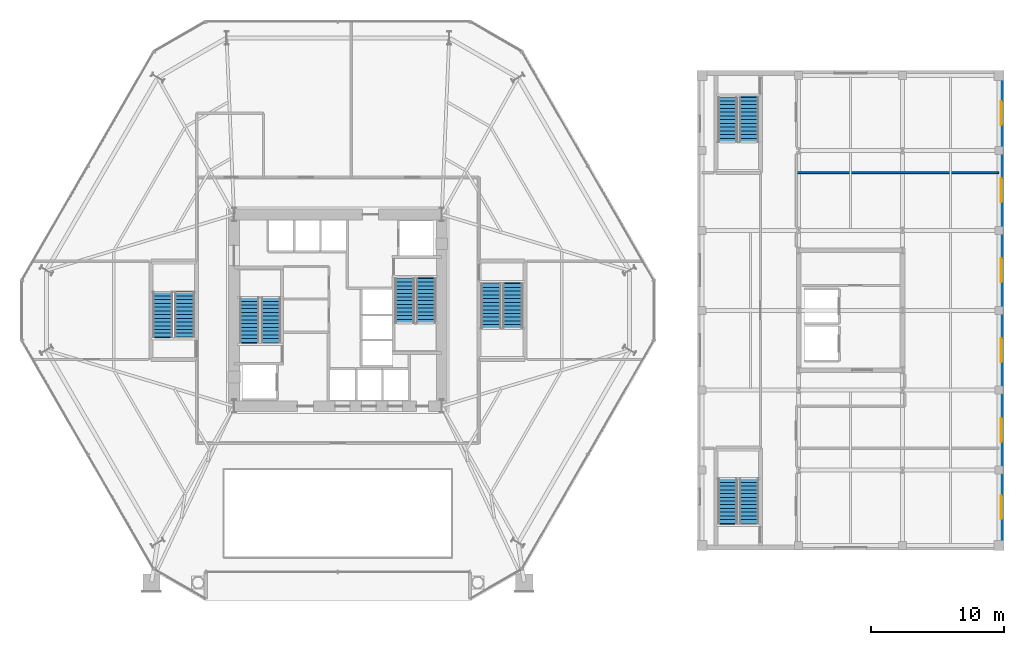
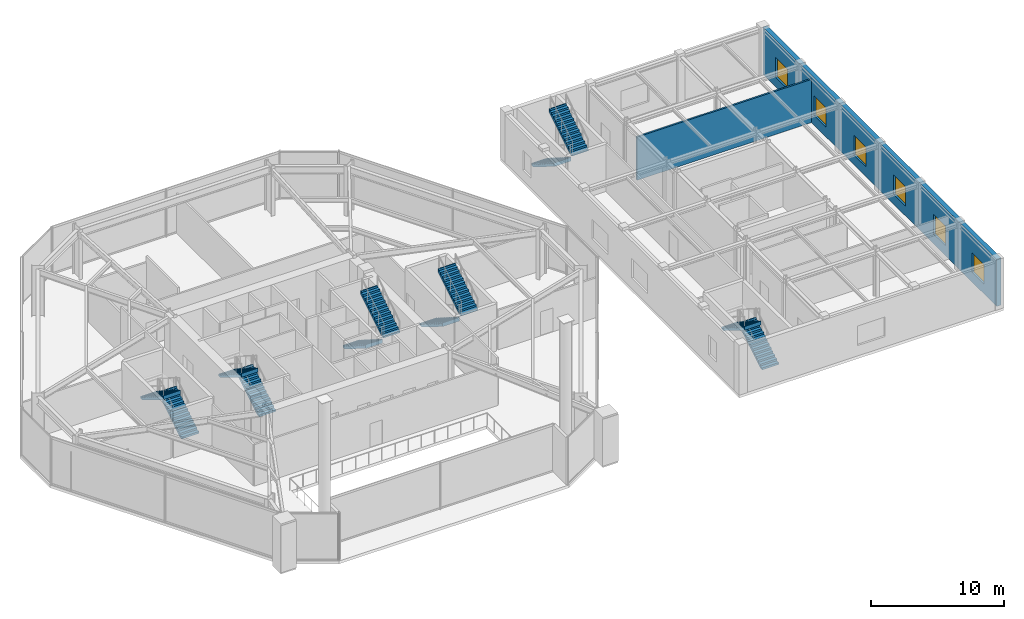
# One storey, part 18 of 22: 12 stair flights, 6 windows, 2 walls, 6 openings, 6 elements without a shape of their own.
"""IFC4 building model written with IfcOpenShell, lengths in metres."""

import ifcopenshell
import ifcopenshell.guid

model = None  # the IFC model being written
_history = None  # IfcOwnerHistory: only IFC2X3 demands one
_inside = {}  # id of a spatial element -> (the spatial element, [elements in it])
_under = {}  # id of a project, library or spatial element -> (it, [spatial elements below it])
_declared = {}  # id of a project -> (the project, [libraries it declares])
_typed = {}  # id of a type object -> (the type object, [elements of that type])
_made_of = {}  # id of a material, layer set ... -> (it, [elements and type objects made of it])


def new_model(schema):
    """Start an empty IFC model of exactly this schema.

    Asked for "IFC4X3", IfcOpenShell would pick the latest addendum, in which some entities
    have other attributes; the version numbers below select the first issue.
    IFC2X3 requires an IfcOwnerHistory on every rooted entity: one is made here for all.
    """
    global model, _history
    if schema == "IFC4X3":
        model = ifcopenshell.file(schema_version=(4, 3, 0, 0))
    else:
        model = ifcopenshell.file(schema=schema)
    _inside.clear()
    _under.clear()
    _declared.clear()
    _typed.clear()
    _made_of.clear()
    _history = None
    if model.schema == "IFC2X3":
        org = make("IfcOrganization", Name="unknown")
        user = make(
            "IfcPersonAndOrganization",
            ThePerson=make("IfcPerson", FamilyName="unknown"),
            TheOrganization=org,
        )
        app = make(
            "IfcApplication",
            ApplicationDeveloper=org,
            Version="unknown",
            ApplicationFullName="unknown",
            ApplicationIdentifier="unknown",
        )
        _history = make(
            "IfcOwnerHistory",
            OwningUser=user,
            OwningApplication=app,
            ChangeAction="ADDED",
            CreationDate=0,
        )
    return model


def make(cls, **values):
    """One entity of the class cls with the attributes given. An attribute that is None is left unset."""
    return model.create_entity(
        cls, **{name: value for name, value in values.items() if value is not None}
    )


def rooted(cls, **values):
    """An entity with a GlobalId (a new one), such as an element, a storey or a relation."""
    return make(cls, GlobalId=ifcopenshell.guid.new(), OwnerHistory=_history, **values)


def si_unit(unit_type, name, prefix=None):
    """IfcSIUnit, for example si_unit("LENGTHUNIT", "METRE", prefix="MILLI")."""
    return make("IfcSIUnit", UnitType=unit_type, Prefix=prefix, Name=name)


def assignment(units):
    """IfcUnitAssignment: the units of a project."""
    return None if units is None else make("IfcUnitAssignment", Units=units)


def point(xyz):
    """IfcCartesianPoint."""
    return None if xyz is None else make("IfcCartesianPoint", Coordinates=xyz)


def direction(xyz):
    """IfcDirection."""
    return None if xyz is None else make("IfcDirection", DirectionRatios=xyz)


def frame(location, z_axis=None, x_axis=None):
    """IfcAxis2Placement3D, a coordinate frame: its origin and axes. An axis left out is left unset."""
    return make(
        "IfcAxis2Placement3D",
        Location=point(location),
        Axis=direction(z_axis),
        RefDirection=direction(x_axis),
    )


def frame_2d(location, x_axis=None):
    """IfcAxis2Placement2D, a coordinate frame in the plane: its origin and x axis."""
    return make(
        "IfcAxis2Placement2D", Location=point(location), RefDirection=direction(x_axis)
    )


def origin():
    """The frame at (0, 0, 0) with its axes left unset."""
    return frame((0.0, 0.0, 0.0))


def place(relative_to, where):
    """IfcLocalPlacement: puts the frame where relative to a parent placement (None: the world)."""
    return make(
        "IfcLocalPlacement", PlacementRelTo=relative_to, RelativePlacement=where
    )


def context(
    kind, dimensions, precision=None, world=None, true_north=None, identifier=None
):
    """IfcGeometricRepresentationContext, for example the 3D "Model" context."""
    return make(
        "IfcGeometricRepresentationContext",
        ContextIdentifier=identifier,
        ContextType=kind,
        CoordinateSpaceDimension=dimensions,
        Precision=precision,
        WorldCoordinateSystem=world,
        TrueNorth=true_north,
    )


def subcontext(parent, identifier, kind, view, scale=None):
    """IfcGeometricRepresentationSubContext, for example "Body" below "Model"."""
    return make(
        "IfcGeometricRepresentationSubContext",
        ContextIdentifier=identifier,
        ContextType=kind,
        ParentContext=parent,
        TargetScale=scale,
        TargetView=view,
    )


def project(units=None, contexts=None):
    """IfcProject with its units and contexts."""
    return rooted(
        "IfcProject",
        Name="project",
        RepresentationContexts=contexts,
        UnitsInContext=assignment(units),
    )


def spatial(cls, under=None, at=None, **own):
    """A site, building, storey or space (cls), placed at a placement, below another one or the project."""
    s = rooted(cls, ObjectPlacement=at, **own)
    if under is not None:
        _under.setdefault(under.id(), (under, []))[1].append(s)
    return s


def polyline(points):
    """IfcPolyline through the points."""
    return make("IfcPolyline", Points=[point(p) for p in points])


def profile(cls, at=None, kind="AREA", **sizes):
    """A parametric profile (cls). Its sizes go by their IFC names, for example OverallWidth=200.0."""
    return make(cls, ProfileType=kind, Position=at, **sizes)


def rectangle(**sizes):
    """IfcRectangleProfileDef."""
    return profile("IfcRectangleProfileDef", **sizes)


def outline(outer, holes=None, kind="AREA"):
    """IfcArbitraryClosedProfileDef: a profile drawn as a closed curve; with holes, ...WithVoids."""
    if holes is None:
        return make("IfcArbitraryClosedProfileDef", ProfileType=kind, OuterCurve=outer)
    return make(
        "IfcArbitraryProfileDefWithVoids",
        ProfileType=kind,
        OuterCurve=outer,
        InnerCurves=holes,
    )


def extrude(swept, where, along, depth):
    """IfcExtrudedAreaSolid: the profile swept, set in the frame where, extruded along a direction by depth."""
    return make(
        "IfcExtrudedAreaSolid",
        SweptArea=swept,
        Position=where,
        ExtrudedDirection=direction(along),
        Depth=depth,
    )


def shape(context_of_items, identifier, shape_type, items):
    """IfcShapeRepresentation: the items that make up one representation, for example the "Body"."""
    return make(
        "IfcShapeRepresentation",
        ContextOfItems=context_of_items,
        RepresentationIdentifier=identifier,
        RepresentationType=shape_type,
        Items=items,
    )


def material(Name=None, Category=None):
    """IfcMaterial."""
    return make("IfcMaterial", Name=Name, Category=Category)


def layer(
    of_material, thickness, ventilated=None, Name=None, Category=None, Priority=None
):
    """IfcMaterialLayer: one layer of a wall or slab, of a material (None: an air gap)."""
    return make(
        "IfcMaterialLayer",
        Material=of_material,
        LayerThickness=thickness,
        IsVentilated=ventilated,
        Name=Name,
        Category=Category,
        Priority=Priority,
    )


def layer_set(layers, Name=None):
    """IfcMaterialLayerSet."""
    return make("IfcMaterialLayerSet", MaterialLayers=layers, LayerSetName=Name)


def made_of(thing, what):
    """Note that an element or type object is made of a material, layer set ...; save() writes the relation."""
    if what is not None:
        _made_of.setdefault(what.id(), (what, []))[1].append(thing)
    return thing


def type_object(cls, material=None, **own):
    """A type object (cls), such as IfcWallType, which elements share."""
    return made_of(rooted(cls, **own), material)


def element(
    cls,
    number,
    at=None,
    inside=None,
    cuts=None,
    type_object=None,
    material=None,
    context=None,
    identifier="Body",
    shape_type=None,
    held_by="IfcProductDefinitionShape",
    body=None,
    shapes=None,
    **own,
):
    """One element of the class cls, such as IfcWall. Its Tag is "e" and its number.

    at: its placement. inside: the storey or other place that contains it. cuts: it is an
    opening in that element (IfcRelVoidsElement). A single representation is given by context,
    identifier, shape_type and body (its items); several are given by shapes. held_by: the class
    of the entity that holds the representations. save() writes the other relations.
    """
    e = rooted(cls, Tag="e%d" % number, ObjectPlacement=at, **own)
    if body is not None:
        shapes = [shape(context, identifier, shape_type, body)]
    if shapes is not None:
        e.Representation = make(held_by, Representations=shapes)
    if inside is not None:
        _inside.setdefault(inside.id(), (inside, []))[1].append(e)
    if cuts is not None:
        rooted(
            "IfcRelVoidsElement", RelatingBuildingElement=cuts, RelatedOpeningElement=e
        )
    if type_object is not None:
        _typed.setdefault(type_object.id(), (type_object, []))[1].append(e)
    return made_of(e, material)


def fill(opening, filler):
    """IfcRelFillsElement: the door or window that sits in an opening."""
    return rooted(
        "IfcRelFillsElement",
        RelatingOpeningElement=opening,
        RelatedBuildingElement=filler,
    )


def aggregate(whole, parts):
    """IfcRelAggregates: a whole, such as a stair, and the parts it consists of."""
    return rooted("IfcRelAggregates", RelatingObject=whole, RelatedObjects=parts)


def save(model, path):
    """Write the relations noted so far, then the file.

    IfcRelAggregates (storeys below a building ...), IfcRelContainedInSpatialStructure (elements
    in a storey), IfcRelDefinesByType, IfcRelAssociatesMaterial and IfcRelDeclares: one each for
    every whole, place, type object, material and project.
    """
    for whole, parts in _under.values():
        aggregate(whole, parts)
    for where, things in _inside.values():
        rooted(
            "IfcRelContainedInSpatialStructure",
            RelatedElements=things,
            RelatingStructure=where,
        )
    for kind, things in _typed.values():
        rooted("IfcRelDefinesByType", RelatedObjects=things, RelatingType=kind)
    for what, things in _made_of.values():
        rooted("IfcRelAssociatesMaterial", RelatedObjects=things, RelatingMaterial=what)
    for by, libraries in _declared.values():
        rooted("IfcRelDeclares", RelatingContext=by, RelatedDefinitions=libraries)
    model.write(path)


model = new_model("IFC4")

# Units and contexts
model_context = context("Model", 3, precision=1e-05, world=origin(), true_north=direction((0.0, 1.0)))
body_context = subcontext(model_context, "Body", "Model", "MODEL_VIEW")
ifc_project = project(units=[si_unit("LENGTHUNIT", "METRE"), si_unit("AREAUNIT", "SQUARE_METRE"), si_unit("VOLUMEUNIT", "CUBIC_METRE"), si_unit("PLANEANGLEUNIT", "RADIAN"), si_unit("MASSUNIT", "GRAM", prefix="KILO")], contexts=[model_context])

# Site, building, storey
site_placement = place(None, origin())
site = spatial("IfcSite", under=ifc_project, at=site_placement, CompositionType="ELEMENT")
building_placement = place(site_placement, origin())
building = spatial("IfcBuilding", under=site, at=building_placement, Name="Kranzbogen Civic Tower", CompositionType="ELEMENT")
storey_placement = place(building_placement, frame((0.0, 0.0, 5.199951171875)))
storey = spatial("IfcBuildingStorey", under=building, at=storey_placement, Name="L01", CompositionType="ELEMENT", Elevation=5.199951171875)

# Wall
ifc_material_1 = material(Name="Double-Stud Acoustic Gypsum Partition")
ifc_layer_1 = layer(ifc_material_1, 0.14990234375, Name="Double-Stud Acoustic Gypsum Partition")
ifc_layer_set_1 = layer_set([ifc_layer_1], Name="Double-Stud Acoustic Gypsum Partition")
wall_type_1 = type_object("IfcWallType", Name="Acoustic Corridor and Clinical Partition 150 mm", PredefinedType="PARTITIONING", material=ifc_layer_set_1)
wall_1_placement = place(storey_placement, frame((59.455078125, 35.35009765625, 0.0), z_axis=(0.0, 0.0, 1.0), x_axis=(1.0, 0.0, 0.0)))
element("IfcWall", 1, at=wall_1_placement, inside=storey, type_object=wall_type_1, Name="L01 clinical partition 06", PredefinedType="PARTITIONING", context=body_context, shape_type="SweptSolid", body=[
    extrude(rectangle(XDim=15.1650390625, YDim=0.14990234375, at=frame_2d((7.58251953125, 0.0))), origin(), (0.0, 0.0, 1.0), 3.97998046875),
])

# Wall, openings, windows
ifc_material_2 = material(Name="Precast concrete C40/50", Category="concrete")
ifc_layer_2 = layer(ifc_material_2, 0.3798828125, Name="Precast concrete C40/50")
ifc_layer_set_2 = layer_set([ifc_layer_2], Name="Precast concrete C40/50")
wall_type_2 = type_object("IfcWallType", Name="Health Centre Insulated Precast Facade Wall 380 mm", PredefinedType="STANDARD", material=ifc_layer_set_2)
wall_2_placement = place(storey_placement, frame((74.81005859375, 42.6201171875, 0.0), z_axis=(0.0, 0.0, 1.0), x_axis=(0.0, -1.0, 0.0)))
wall_2 = element("IfcWall", 2, at=wall_2_placement, inside=storey, type_object=wall_type_2, Name="L01 Health Centre East facade wall", PredefinedType="STANDARD", context=body_context, shape_type="SweptSolid", body=[
    extrude(rectangle(XDim=35.240234375, YDim=0.3798828125, at=frame_2d((17.6201171875, 0.0))), origin(), (0.0, 0.0, 1.0), 4.340087890625),
])
opening_1_placement = place(wall_2_placement, frame((31.52001953125, 0.0, 0.89990234375)))
opening_1 = element("IfcOpeningElement", 3, at=opening_1_placement, cuts=wall_2, Name="Opening W-HC18", PredefinedType="OPENING", context=body_context, shape_type="SweptSolid", body=[
    extrude(rectangle(XDim=1.800048828125, YDim=1.800048828125, at=frame_2d((0.89990234375, 0.89990234375))), frame((0.0, 0.199951171875, 0.0), z_axis=(0.0, -1.0, 0.0), x_axis=(1.0, 0.0, 0.0)), (0.0, 0.0, 1.0), 0.39990234375),
])
opening_2_placement = place(wall_2_placement, frame((25.719970703125, 0.0, 0.89990234375)))
opening_2 = element("IfcOpeningElement", 4, at=opening_2_placement, cuts=wall_2, Name="Opening W-HC18", PredefinedType="OPENING", context=body_context, shape_type="SweptSolid", body=[
    extrude(rectangle(XDim=1.800048828125, YDim=1.800048828125, at=frame_2d((0.89990234375, 0.89990234375))), frame((0.0, 0.199951171875, 0.0), z_axis=(0.0, -1.0, 0.0), x_axis=(1.0, 0.0, 0.0)), (0.0, 0.0, 1.0), 0.39990234375),
])
opening_3_placement = place(wall_2_placement, frame((19.719970703125, 0.0, 0.89990234375)))
opening_3 = element("IfcOpeningElement", 5, at=opening_3_placement, cuts=wall_2, Name="Opening W-HC18", PredefinedType="OPENING", context=body_context, shape_type="SweptSolid", body=[
    extrude(rectangle(XDim=1.800048828125, YDim=1.800048828125, at=frame_2d((0.89990234375, 0.89990234375))), frame((0.0, 0.199951171875, 0.0), z_axis=(0.0, -1.0, 0.0), x_axis=(1.0, 0.0, 0.0)), (0.0, 0.0, 1.0), 0.39990234375),
])
opening_4_placement = place(wall_2_placement, frame((13.719970703125, 0.0, 0.89990234375)))
opening_4 = element("IfcOpeningElement", 6, at=opening_4_placement, cuts=wall_2, Name="Opening W-HC18", PredefinedType="OPENING", context=body_context, shape_type="SweptSolid", body=[
    extrude(rectangle(XDim=1.800048828125, YDim=1.800048828125, at=frame_2d((0.89990234375, 0.89990234375))), frame((0.0, 0.199951171875, 0.0), z_axis=(0.0, -1.0, 0.0), x_axis=(1.0, 0.0, 0.0)), (0.0, 0.0, 1.0), 0.39990234375),
])
opening_5_placement = place(wall_2_placement, frame((7.719970703125, 0.0, 0.89990234375)))
opening_5 = element("IfcOpeningElement", 7, at=opening_5_placement, cuts=wall_2, Name="Opening W-HC18", PredefinedType="OPENING", context=body_context, shape_type="SweptSolid", body=[
    extrude(rectangle(XDim=1.800048828125, YDim=1.800048828125, at=frame_2d((0.89990234375, 0.89990234375))), frame((0.0, 0.199951171875, 0.0), z_axis=(0.0, -1.0, 0.0), x_axis=(1.0, 0.0, 0.0)), (0.0, 0.0, 1.0), 0.39990234375),
])
opening_6_placement = place(wall_2_placement, frame((1.919921875, 0.0, 0.89990234375)))
opening_6 = element("IfcOpeningElement", 8, at=opening_6_placement, cuts=wall_2, Name="Opening W-HC18", PredefinedType="OPENING", context=body_context, shape_type="SweptSolid", body=[
    extrude(rectangle(XDim=1.800048828125, YDim=1.800048828125, at=frame_2d((0.89990234375, 0.89990234375))), frame((0.0, 0.199951171875, 0.0), z_axis=(0.0, -1.0, 0.0), x_axis=(1.0, 0.0, 0.0)), (0.0, 0.0, 1.0), 0.39990234375),
])
ifc_material_3 = material(Name="Low-E Triple Glazing Glass", Category="glass")
window_type = type_object("IfcWindowType", Name="Clinical Triple-Glazed Window 1800x1800", PartitioningType="DOUBLE_PANEL_VERTICAL", PredefinedType="WINDOW", material=ifc_material_3)
window_1_placement = place(opening_1_placement, origin())
window_1 = element("IfcWindow", 9, at=window_1_placement, inside=storey, type_object=window_type, Name="L01 Health Centre East bay 1 window", OverallHeight=1.800048828125, OverallWidth=1.800048828125, PartitioningType="DOUBLE_PANEL_VERTICAL", PredefinedType="WINDOW", context=body_context, shape_type="SweptSolid", body=[
    extrude(rectangle(XDim=1.800048828125, YDim=1.800048828125, at=frame_2d((0.89990234375, 0.89990234375))), frame((0.0, 0.030029296875, 0.0), z_axis=(0.0, -1.0, 0.0), x_axis=(1.0, 0.0, 0.0)), (0.0, 0.0, 1.0), 0.06005859375),
])
fill(opening_1, window_1)
window_2_placement = place(opening_2_placement, origin())
window_2 = element("IfcWindow", 10, at=window_2_placement, inside=storey, type_object=window_type, Name="L01 Health Centre East bay 2 window", OverallHeight=1.800048828125, OverallWidth=1.800048828125, PartitioningType="DOUBLE_PANEL_VERTICAL", PredefinedType="WINDOW", context=body_context, shape_type="SweptSolid", body=[
    extrude(rectangle(XDim=1.800048828125, YDim=1.800048828125, at=frame_2d((0.89990234375, 0.89990234375))), frame((0.0, 0.030029296875, 0.0), z_axis=(0.0, -1.0, 0.0), x_axis=(1.0, 0.0, 0.0)), (0.0, 0.0, 1.0), 0.06005859375),
])
fill(opening_2, window_2)
window_3_placement = place(opening_3_placement, origin())
window_3 = element("IfcWindow", 11, at=window_3_placement, inside=storey, type_object=window_type, Name="L01 Health Centre East bay 3 window", OverallHeight=1.800048828125, OverallWidth=1.800048828125, PartitioningType="DOUBLE_PANEL_VERTICAL", PredefinedType="WINDOW", context=body_context, shape_type="SweptSolid", body=[
    extrude(rectangle(XDim=1.800048828125, YDim=1.800048828125, at=frame_2d((0.89990234375, 0.89990234375))), frame((0.0, 0.030029296875, 0.0), z_axis=(0.0, -1.0, 0.0), x_axis=(1.0, 0.0, 0.0)), (0.0, 0.0, 1.0), 0.06005859375),
])
fill(opening_3, window_3)
window_4_placement = place(opening_4_placement, origin())
window_4 = element("IfcWindow", 12, at=window_4_placement, inside=storey, type_object=window_type, Name="L01 Health Centre East bay 4 window", OverallHeight=1.800048828125, OverallWidth=1.800048828125, PartitioningType="DOUBLE_PANEL_VERTICAL", PredefinedType="WINDOW", context=body_context, shape_type="SweptSolid", body=[
    extrude(rectangle(XDim=1.800048828125, YDim=1.800048828125, at=frame_2d((0.89990234375, 0.89990234375))), frame((0.0, 0.030029296875, 0.0), z_axis=(0.0, -1.0, 0.0), x_axis=(1.0, 0.0, 0.0)), (0.0, 0.0, 1.0), 0.06005859375),
])
fill(opening_4, window_4)
window_5_placement = place(opening_5_placement, origin())
window_5 = element("IfcWindow", 13, at=window_5_placement, inside=storey, type_object=window_type, Name="L01 Health Centre East bay 5 window", OverallHeight=1.800048828125, OverallWidth=1.800048828125, PartitioningType="DOUBLE_PANEL_VERTICAL", PredefinedType="WINDOW", context=body_context, shape_type="SweptSolid", body=[
    extrude(rectangle(XDim=1.800048828125, YDim=1.800048828125, at=frame_2d((0.89990234375, 0.89990234375))), frame((0.0, 0.030029296875, 0.0), z_axis=(0.0, -1.0, 0.0), x_axis=(1.0, 0.0, 0.0)), (0.0, 0.0, 1.0), 0.06005859375),
])
fill(opening_5, window_5)
window_6_placement = place(opening_6_placement, origin())
window_6 = element("IfcWindow", 14, at=window_6_placement, inside=storey, type_object=window_type, Name="L01 Health Centre East bay 6 window", OverallHeight=1.800048828125, OverallWidth=1.800048828125, PartitioningType="DOUBLE_PANEL_VERTICAL", PredefinedType="WINDOW", context=body_context, shape_type="SweptSolid", body=[
    extrude(rectangle(XDim=1.800048828125, YDim=1.800048828125, at=frame_2d((0.89990234375, 0.89990234375))), frame((0.0, 0.030029296875, 0.0), z_axis=(0.0, -1.0, 0.0), x_axis=(1.0, 0.0, 0.0)), (0.0, 0.0, 1.0), 0.06005859375),
])
fill(opening_6, window_6)

# Stair, stair flights
stair_type_1 = type_object("IfcStairType", Name="Tower Core Pressurized Dogleg Stair 1450", PredefinedType="HALF_TURN_STAIR", material=ifc_material_2)
stair_1_placement = place(storey_placement, origin())
stair_1 = element("IfcStair", 15, at=stair_1_placement, inside=storey, type_object=stair_type_1, Name="L01 Tower Core Pressurized Stair 1", PredefinedType="HALF_TURN_STAIR")
stair_flight_type = type_object("IfcStairFlightType", Name="Precast Concrete Stair Flight R177", PredefinedType="STRAIGHT", material=ifc_material_2)
stair_flight_1_placement = place(storey_placement, frame((19.97509765625, 22.60009765625, 0.0), z_axis=(0.0, 0.0, 1.0), x_axis=(0.0, 1.0, 0.0)))
stair_flight_1 = element("IfcStairFlight", 16, at=stair_flight_1_placement, type_object=stair_flight_type, Name="ST-T1 flight 1", NumberOfRisers=13, NumberOfTreads=12, PredefinedType="STRAIGHT", RiserHeight=0.176923077, TreadLength=0.28, context=body_context, shape_type="SweptSolid", body=[
    extrude(outline(polyline([(0.0, 0.0), (0.0, 0.177001953125), (0.280029296875, 0.177001953125), (0.280029296875, 0.353759765625), (0.56005859375, 0.353759765625), (0.56005859375, 0.53076171875), (0.840087890625, 0.53076171875), (0.840087890625, 0.707763671875), (1.1201171875, 0.707763671875), (1.1201171875, 0.884521484375), (1.39990234375, 0.884521484375), (1.39990234375, 1.0615234375), (1.679931640625, 1.0615234375), (1.679931640625, 1.238525390625), (1.9599609375, 1.238525390625), (1.9599609375, 1.415283203125), (2.239990234375, 1.415283203125), (2.239990234375, 1.59228515625), (2.52001953125, 1.59228515625), (2.52001953125, 1.769287109375), (2.800048828125, 1.769287109375), (2.800048828125, 1.946044921875), (3.080078125, 1.946044921875), (3.080078125, 2.123046875), (3.360107421875, 2.123046875), (3.360107421875, 2.300048828125), (3.440185546875, 2.300048828125), (3.440185546875, 1.94580078125), (0.280517578125, 0.0), (0.0, 0.0)])), frame((0.0, 0.72509765625, 0.0), z_axis=(0.0, -1.0, 0.0), x_axis=(1.0, 0.0, 0.0)), (0.0, 0.0, 1.0), 1.449951171875),
])
stair_flight_2_placement = place(storey_placement, frame((18.375, 25.9599609375, 2.300048828125), z_axis=(0.0, 0.0, 1.0), x_axis=(0.0, -1.0, 0.0)))
stair_flight_2 = element("IfcStairFlight", 17, at=stair_flight_2_placement, type_object=stair_flight_type, Name="ST-T1 flight 2", NumberOfRisers=13, NumberOfTreads=12, PredefinedType="STRAIGHT", RiserHeight=0.176923077, TreadLength=0.28, context=body_context, shape_type="SweptSolid", body=[
    extrude(outline(polyline([(0.0, 0.0), (0.0, 0.177001953125), (0.280029296875, 0.177001953125), (0.280029296875, 0.353759765625), (0.56005859375, 0.353759765625), (0.56005859375, 0.53076171875), (0.840087890625, 0.53076171875), (0.840087890625, 0.707763671875), (1.1201171875, 0.707763671875), (1.1201171875, 0.884521484375), (1.39990234375, 0.884521484375), (1.39990234375, 1.0615234375), (1.679931640625, 1.0615234375), (1.679931640625, 1.238525390625), (1.9599609375, 1.238525390625), (1.9599609375, 1.415283203125), (2.239990234375, 1.415283203125), (2.239990234375, 1.59228515625), (2.52001953125, 1.59228515625), (2.52001953125, 1.769287109375), (2.800048828125, 1.769287109375), (2.800048828125, 1.946044921875), (3.080078125, 1.946044921875), (3.080078125, 2.123046875), (3.360107421875, 2.123046875), (3.360107421875, 2.300048828125), (3.440185546875, 2.300048828125), (3.440185546875, 1.94580078125), (0.280517578125, 0.0), (0.0, 0.0)])), frame((0.0, 0.72509765625, 0.0), z_axis=(0.0, -1.0, 0.0), x_axis=(1.0, 0.0, 0.0)), (0.0, 0.0, 1.0), 1.449951171875),
])
aggregate(stair_1, [stair_flight_1, stair_flight_2])

stair_type_2 = type_object("IfcStairType", Name="Tower Core Secondary Dogleg Stair 1450", PredefinedType="HALF_TURN_STAIR", material=ifc_material_2)
stair_2_placement = place(storey_placement, origin())
stair_2 = element("IfcStair", 18, at=stair_2_placement, inside=storey, type_object=stair_type_2, Name="L01 Tower Core Pressurized Stair 2", PredefinedType="HALF_TURN_STAIR")
stair_flight_3_placement = place(storey_placement, frame((30.02490234375, 27.39990234375, 0.0), z_axis=(0.0, 0.0, 1.0), x_axis=(0.0, -1.0, 0.0)))
stair_flight_3 = element("IfcStairFlight", 19, at=stair_flight_3_placement, type_object=stair_flight_type, Name="ST-T2 flight 1", NumberOfRisers=13, NumberOfTreads=12, PredefinedType="STRAIGHT", RiserHeight=0.176923077, TreadLength=0.28, context=body_context, shape_type="SweptSolid", body=[
    extrude(outline(polyline([(0.0, 0.0), (0.0, 0.177001953125), (0.280029296875, 0.177001953125), (0.280029296875, 0.353759765625), (0.56005859375, 0.353759765625), (0.56005859375, 0.53076171875), (0.840087890625, 0.53076171875), (0.840087890625, 0.707763671875), (1.1201171875, 0.707763671875), (1.1201171875, 0.884521484375), (1.39990234375, 0.884521484375), (1.39990234375, 1.0615234375), (1.679931640625, 1.0615234375), (1.679931640625, 1.238525390625), (1.9599609375, 1.238525390625), (1.9599609375, 1.415283203125), (2.239990234375, 1.415283203125), (2.239990234375, 1.59228515625), (2.52001953125, 1.59228515625), (2.52001953125, 1.769287109375), (2.800048828125, 1.769287109375), (2.800048828125, 1.946044921875), (3.080078125, 1.946044921875), (3.080078125, 2.123046875), (3.360107421875, 2.123046875), (3.360107421875, 2.300048828125), (3.440185546875, 2.300048828125), (3.440185546875, 1.94580078125), (0.280517578125, 0.0), (0.0, 0.0)])), frame((0.0, 0.72509765625, 0.0), z_axis=(0.0, -1.0, 0.0), x_axis=(1.0, 0.0, 0.0)), (0.0, 0.0, 1.0), 1.449951171875),
])
stair_flight_4_placement = place(storey_placement, frame((31.625, 24.0400390625, 2.300048828125), z_axis=(0.0, 0.0, 1.0), x_axis=(0.0, 1.0, 0.0)))
stair_flight_4 = element("IfcStairFlight", 20, at=stair_flight_4_placement, type_object=stair_flight_type, Name="ST-T2 flight 2", NumberOfRisers=13, NumberOfTreads=12, PredefinedType="STRAIGHT", RiserHeight=0.176923077, TreadLength=0.28, context=body_context, shape_type="SweptSolid", body=[
    extrude(outline(polyline([(0.0, 0.0), (0.0, 0.177001953125), (0.280029296875, 0.177001953125), (0.280029296875, 0.353759765625), (0.56005859375, 0.353759765625), (0.56005859375, 0.53076171875), (0.840087890625, 0.53076171875), (0.840087890625, 0.707763671875), (1.1201171875, 0.707763671875), (1.1201171875, 0.884521484375), (1.39990234375, 0.884521484375), (1.39990234375, 1.0615234375), (1.679931640625, 1.0615234375), (1.679931640625, 1.238525390625), (1.9599609375, 1.238525390625), (1.9599609375, 1.415283203125), (2.239990234375, 1.415283203125), (2.239990234375, 1.59228515625), (2.52001953125, 1.59228515625), (2.52001953125, 1.769287109375), (2.800048828125, 1.769287109375), (2.800048828125, 1.946044921875), (3.080078125, 1.946044921875), (3.080078125, 2.123046875), (3.360107421875, 2.123046875), (3.360107421875, 2.300048828125), (3.440185546875, 2.300048828125), (3.440185546875, 1.94580078125), (0.280517578125, 0.0), (0.0, 0.0)])), frame((0.0, 0.72509765625, 0.0), z_axis=(0.0, -1.0, 0.0), x_axis=(1.0, 0.0, 0.0)), (0.0, 0.0, 1.0), 1.449951171875),
])
aggregate(stair_2, [stair_flight_3, stair_flight_4])

stair_type_3 = type_object("IfcStairType", Name="Podium Assembly Dogleg Stair 1500", PredefinedType="HALF_TURN_STAIR", material=ifc_material_2)
stair_3_placement = place(storey_placement, origin())
stair_3 = element("IfcStair", 21, at=stair_3_placement, inside=storey, type_object=stair_type_3, Name="L01 Podium Assembly Stair West", PredefinedType="HALF_TURN_STAIR")
stair_flight_5_placement = place(storey_placement, frame((13.5, 23.0, 0.0), z_axis=(0.0, 0.0, 1.0), x_axis=(0.0, 1.0, 0.0)))
stair_flight_5 = element("IfcStairFlight", 22, at=stair_flight_5_placement, type_object=stair_flight_type, Name="ST-P1 flight 1", NumberOfRisers=13, NumberOfTreads=12, PredefinedType="STRAIGHT", RiserHeight=0.176923077, TreadLength=0.28, context=body_context, shape_type="SweptSolid", body=[
    extrude(outline(polyline([(0.0, 0.0), (0.0, 0.177001953125), (0.280029296875, 0.177001953125), (0.280029296875, 0.353759765625), (0.56005859375, 0.353759765625), (0.56005859375, 0.53076171875), (0.840087890625, 0.53076171875), (0.840087890625, 0.707763671875), (1.1201171875, 0.707763671875), (1.1201171875, 0.884521484375), (1.39990234375, 0.884521484375), (1.39990234375, 1.0615234375), (1.679931640625, 1.0615234375), (1.679931640625, 1.238525390625), (1.9599609375, 1.238525390625), (1.9599609375, 1.415283203125), (2.239990234375, 1.415283203125), (2.239990234375, 1.59228515625), (2.52001953125, 1.59228515625), (2.52001953125, 1.769287109375), (2.800048828125, 1.769287109375), (2.800048828125, 1.946044921875), (3.080078125, 1.946044921875), (3.080078125, 2.123046875), (3.360107421875, 2.123046875), (3.360107421875, 2.300048828125), (3.440185546875, 2.300048828125), (3.440185546875, 1.94580078125), (0.280517578125, 0.0), (0.0, 0.0)])), frame((0.0, 0.75, 0.0), z_axis=(0.0, -1.0, 0.0), x_axis=(1.0, 0.0, 0.0)), (0.0, 0.0, 1.0), 1.5),
])
stair_flight_6_placement = place(storey_placement, frame((11.85009765625, 26.360107421875, 2.300048828125), z_axis=(0.0, 0.0, 1.0), x_axis=(0.0, -1.0, 0.0)))
stair_flight_6 = element("IfcStairFlight", 23, at=stair_flight_6_placement, type_object=stair_flight_type, Name="ST-P1 flight 2", NumberOfRisers=13, NumberOfTreads=12, PredefinedType="STRAIGHT", RiserHeight=0.176923077, TreadLength=0.28, context=body_context, shape_type="SweptSolid", body=[
    extrude(outline(polyline([(0.0, 0.0), (0.0, 0.177001953125), (0.280029296875, 0.177001953125), (0.280029296875, 0.353759765625), (0.56005859375, 0.353759765625), (0.56005859375, 0.53076171875), (0.840087890625, 0.53076171875), (0.840087890625, 0.707763671875), (1.1201171875, 0.707763671875), (1.1201171875, 0.884521484375), (1.39990234375, 0.884521484375), (1.39990234375, 1.0615234375), (1.679931640625, 1.0615234375), (1.679931640625, 1.238525390625), (1.9599609375, 1.238525390625), (1.9599609375, 1.415283203125), (2.239990234375, 1.415283203125), (2.239990234375, 1.59228515625), (2.52001953125, 1.59228515625), (2.52001953125, 1.769287109375), (2.800048828125, 1.769287109375), (2.800048828125, 1.946044921875), (3.080078125, 1.946044921875), (3.080078125, 2.123046875), (3.360107421875, 2.123046875), (3.360107421875, 2.300048828125), (3.440185546875, 2.300048828125), (3.440185546875, 1.94580078125), (0.280517578125, 0.0), (0.0, 0.0)])), frame((0.0, 0.75, 0.0), z_axis=(0.0, -1.0, 0.0), x_axis=(1.0, 0.0, 0.0)), (0.0, 0.0, 1.0), 1.5),
])
aggregate(stair_3, [stair_flight_5, stair_flight_6])

stair_4_placement = place(storey_placement, origin())
stair_4 = element("IfcStair", 24, at=stair_4_placement, inside=storey, type_object=stair_type_3, Name="L01 Podium Assembly Stair East", PredefinedType="HALF_TURN_STAIR")
stair_flight_7_placement = place(storey_placement, frame((36.5, 27.0, 0.0), z_axis=(0.0, 0.0, 1.0), x_axis=(0.0, -1.0, 0.0)))
stair_flight_7 = element("IfcStairFlight", 25, at=stair_flight_7_placement, type_object=stair_flight_type, Name="ST-P2 flight 1", NumberOfRisers=13, NumberOfTreads=12, PredefinedType="STRAIGHT", RiserHeight=0.176923077, TreadLength=0.28, context=body_context, shape_type="SweptSolid", body=[
    extrude(outline(polyline([(0.0, 0.0), (0.0, 0.177001953125), (0.280029296875, 0.177001953125), (0.280029296875, 0.353759765625), (0.56005859375, 0.353759765625), (0.56005859375, 0.53076171875), (0.840087890625, 0.53076171875), (0.840087890625, 0.707763671875), (1.1201171875, 0.707763671875), (1.1201171875, 0.884521484375), (1.39990234375, 0.884521484375), (1.39990234375, 1.0615234375), (1.679931640625, 1.0615234375), (1.679931640625, 1.238525390625), (1.9599609375, 1.238525390625), (1.9599609375, 1.415283203125), (2.239990234375, 1.415283203125), (2.239990234375, 1.59228515625), (2.52001953125, 1.59228515625), (2.52001953125, 1.769287109375), (2.800048828125, 1.769287109375), (2.800048828125, 1.946044921875), (3.080078125, 1.946044921875), (3.080078125, 2.123046875), (3.360107421875, 2.123046875), (3.360107421875, 2.300048828125), (3.440185546875, 2.300048828125), (3.440185546875, 1.94580078125), (0.280517578125, 0.0), (0.0, 0.0)])), frame((0.0, 0.75, 0.0), z_axis=(0.0, -1.0, 0.0), x_axis=(1.0, 0.0, 0.0)), (0.0, 0.0, 1.0), 1.5),
])
stair_flight_8_placement = place(storey_placement, frame((38.14990234375, 23.639892578125, 2.300048828125), z_axis=(0.0, 0.0, 1.0), x_axis=(0.0, 1.0, 0.0)))
stair_flight_8 = element("IfcStairFlight", 26, at=stair_flight_8_placement, type_object=stair_flight_type, Name="ST-P2 flight 2", NumberOfRisers=13, NumberOfTreads=12, PredefinedType="STRAIGHT", RiserHeight=0.176923077, TreadLength=0.28, context=body_context, shape_type="SweptSolid", body=[
    extrude(outline(polyline([(0.0, 0.0), (0.0, 0.177001953125), (0.280029296875, 0.177001953125), (0.280029296875, 0.353759765625), (0.56005859375, 0.353759765625), (0.56005859375, 0.53076171875), (0.840087890625, 0.53076171875), (0.840087890625, 0.707763671875), (1.1201171875, 0.707763671875), (1.1201171875, 0.884521484375), (1.39990234375, 0.884521484375), (1.39990234375, 1.0615234375), (1.679931640625, 1.0615234375), (1.679931640625, 1.238525390625), (1.9599609375, 1.238525390625), (1.9599609375, 1.415283203125), (2.239990234375, 1.415283203125), (2.239990234375, 1.59228515625), (2.52001953125, 1.59228515625), (2.52001953125, 1.769287109375), (2.800048828125, 1.769287109375), (2.800048828125, 1.946044921875), (3.080078125, 1.946044921875), (3.080078125, 2.123046875), (3.360107421875, 2.123046875), (3.360107421875, 2.300048828125), (3.440185546875, 2.300048828125), (3.440185546875, 1.94580078125), (0.280517578125, 0.0), (0.0, 0.0)])), frame((0.0, 0.75, 0.0), z_axis=(0.0, -1.0, 0.0), x_axis=(1.0, 0.0, 0.0)), (0.0, 0.0, 1.0), 1.5),
])
aggregate(stair_4, [stair_flight_7, stair_flight_8])

stair_type_4 = type_object("IfcStairType", Name="Health Centre Escape Dogleg Stair 1450", PredefinedType="HALF_TURN_STAIR", material=ifc_material_2)
stair_5_placement = place(storey_placement, origin())
stair_5 = element("IfcStair", 27, at=stair_5_placement, inside=storey, type_object=stair_type_4, Name="L01 Health Centre Escape Stair 1", PredefinedType="HALF_TURN_STAIR")
stair_flight_9_placement = place(storey_placement, frame((55.875, 9.0, 0.0), z_axis=(0.0, 0.0, 1.0), x_axis=(0.0, 1.0, 0.0)))
stair_flight_9 = element("IfcStairFlight", 28, at=stair_flight_9_placement, type_object=stair_flight_type, Name="ST-H1 flight 1", NumberOfRisers=13, NumberOfTreads=12, PredefinedType="STRAIGHT", RiserHeight=0.176923077, TreadLength=0.28, context=body_context, shape_type="SweptSolid", body=[
    extrude(outline(polyline([(0.0, 0.0), (0.0, 0.177001953125), (0.280029296875, 0.177001953125), (0.280029296875, 0.353759765625), (0.56005859375, 0.353759765625), (0.56005859375, 0.53076171875), (0.840087890625, 0.53076171875), (0.840087890625, 0.707763671875), (1.1201171875, 0.707763671875), (1.1201171875, 0.884521484375), (1.39990234375, 0.884521484375), (1.39990234375, 1.0615234375), (1.679931640625, 1.0615234375), (1.679931640625, 1.238525390625), (1.9599609375, 1.238525390625), (1.9599609375, 1.415283203125), (2.239990234375, 1.415283203125), (2.239990234375, 1.59228515625), (2.52001953125, 1.59228515625), (2.52001953125, 1.769287109375), (2.800048828125, 1.769287109375), (2.800048828125, 1.946044921875), (3.080078125, 1.946044921875), (3.080078125, 2.123046875), (3.360107421875, 2.123046875), (3.360107421875, 2.300048828125), (3.440185546875, 2.300048828125), (3.440185546875, 1.94580078125), (0.280517578125, 0.0), (0.0, 0.0)])), frame((0.0, 0.72509765625, 0.0), z_axis=(0.0, -1.0, 0.0), x_axis=(1.0, 0.0, 0.0)), (0.0, 0.0, 1.0), 1.449951171875),
])
stair_flight_10_placement = place(storey_placement, frame((54.27490234375, 12.360107421875, 2.300048828125), z_axis=(0.0, 0.0, 1.0), x_axis=(0.0, -1.0, 0.0)))
stair_flight_10 = element("IfcStairFlight", 29, at=stair_flight_10_placement, type_object=stair_flight_type, Name="ST-H1 flight 2", NumberOfRisers=13, NumberOfTreads=12, PredefinedType="STRAIGHT", RiserHeight=0.176923077, TreadLength=0.28, context=body_context, shape_type="SweptSolid", body=[
    extrude(outline(polyline([(0.0, 0.0), (0.0, 0.177001953125), (0.280029296875, 0.177001953125), (0.280029296875, 0.353759765625), (0.56005859375, 0.353759765625), (0.56005859375, 0.53076171875), (0.840087890625, 0.53076171875), (0.840087890625, 0.707763671875), (1.1201171875, 0.707763671875), (1.1201171875, 0.884521484375), (1.39990234375, 0.884521484375), (1.39990234375, 1.0615234375), (1.679931640625, 1.0615234375), (1.679931640625, 1.238525390625), (1.9599609375, 1.238525390625), (1.9599609375, 1.415283203125), (2.239990234375, 1.415283203125), (2.239990234375, 1.59228515625), (2.52001953125, 1.59228515625), (2.52001953125, 1.769287109375), (2.800048828125, 1.769287109375), (2.800048828125, 1.946044921875), (3.080078125, 1.946044921875), (3.080078125, 2.123046875), (3.360107421875, 2.123046875), (3.360107421875, 2.300048828125), (3.440185546875, 2.300048828125), (3.440185546875, 1.94580078125), (0.280517578125, 0.0), (0.0, 0.0)])), frame((0.0, 0.72509765625, 0.0), z_axis=(0.0, -1.0, 0.0), x_axis=(1.0, 0.0, 0.0)), (0.0, 0.0, 1.0), 1.449951171875),
])
aggregate(stair_5, [stair_flight_9, stair_flight_10])

stair_6_placement = place(storey_placement, origin())
stair_6 = element("IfcStair", 30, at=stair_6_placement, inside=storey, type_object=stair_type_4, Name="L01 Health Centre Escape Stair 2", PredefinedType="HALF_TURN_STAIR")
stair_flight_11_placement = place(storey_placement, frame((54.27490234375, 41.0, 0.0), z_axis=(0.0, 0.0, 1.0), x_axis=(0.0, -1.0, 0.0)))
stair_flight_11 = element("IfcStairFlight", 31, at=stair_flight_11_placement, type_object=stair_flight_type, Name="ST-H2 flight 1", NumberOfRisers=13, NumberOfTreads=12, PredefinedType="STRAIGHT", RiserHeight=0.176923077, TreadLength=0.28, context=body_context, shape_type="SweptSolid", body=[
    extrude(outline(polyline([(0.0, 0.0), (0.0, 0.177001953125), (0.280029296875, 0.177001953125), (0.280029296875, 0.353759765625), (0.56005859375, 0.353759765625), (0.56005859375, 0.53076171875), (0.840087890625, 0.53076171875), (0.840087890625, 0.707763671875), (1.1201171875, 0.707763671875), (1.1201171875, 0.884521484375), (1.39990234375, 0.884521484375), (1.39990234375, 1.0615234375), (1.679931640625, 1.0615234375), (1.679931640625, 1.238525390625), (1.9599609375, 1.238525390625), (1.9599609375, 1.415283203125), (2.239990234375, 1.415283203125), (2.239990234375, 1.59228515625), (2.52001953125, 1.59228515625), (2.52001953125, 1.769287109375), (2.800048828125, 1.769287109375), (2.800048828125, 1.946044921875), (3.080078125, 1.946044921875), (3.080078125, 2.123046875), (3.360107421875, 2.123046875), (3.360107421875, 2.300048828125), (3.440185546875, 2.300048828125), (3.440185546875, 1.94580078125), (0.280517578125, 0.0), (0.0, 0.0)])), frame((0.0, 0.72509765625, 0.0), z_axis=(0.0, -1.0, 0.0), x_axis=(1.0, 0.0, 0.0)), (0.0, 0.0, 1.0), 1.449951171875),
])
stair_flight_12_placement = place(storey_placement, frame((55.875, 37.639892578125, 2.300048828125), z_axis=(0.0, 0.0, 1.0), x_axis=(0.0, 1.0, 0.0)))
stair_flight_12 = element("IfcStairFlight", 32, at=stair_flight_12_placement, type_object=stair_flight_type, Name="ST-H2 flight 2", NumberOfRisers=13, NumberOfTreads=12, PredefinedType="STRAIGHT", RiserHeight=0.176923077, TreadLength=0.28, context=body_context, shape_type="SweptSolid", body=[
    extrude(outline(polyline([(0.0, 0.0), (0.0, 0.177001953125), (0.280029296875, 0.177001953125), (0.280029296875, 0.353759765625), (0.56005859375, 0.353759765625), (0.56005859375, 0.53076171875), (0.840087890625, 0.53076171875), (0.840087890625, 0.707763671875), (1.1201171875, 0.707763671875), (1.1201171875, 0.884521484375), (1.39990234375, 0.884521484375), (1.39990234375, 1.0615234375), (1.679931640625, 1.0615234375), (1.679931640625, 1.238525390625), (1.9599609375, 1.238525390625), (1.9599609375, 1.415283203125), (2.239990234375, 1.415283203125), (2.239990234375, 1.59228515625), (2.52001953125, 1.59228515625), (2.52001953125, 1.769287109375), (2.800048828125, 1.769287109375), (2.800048828125, 1.946044921875), (3.080078125, 1.946044921875), (3.080078125, 2.123046875), (3.360107421875, 2.123046875), (3.360107421875, 2.300048828125), (3.440185546875, 2.300048828125), (3.440185546875, 1.94580078125), (0.280517578125, 0.0), (0.0, 0.0)])), frame((0.0, 0.72509765625, 0.0), z_axis=(0.0, -1.0, 0.0), x_axis=(1.0, 0.0, 0.0)), (0.0, 0.0, 1.0), 1.449951171875),
])
aggregate(stair_6, [stair_flight_11, stair_flight_12])

save(model, "model.ifc")
